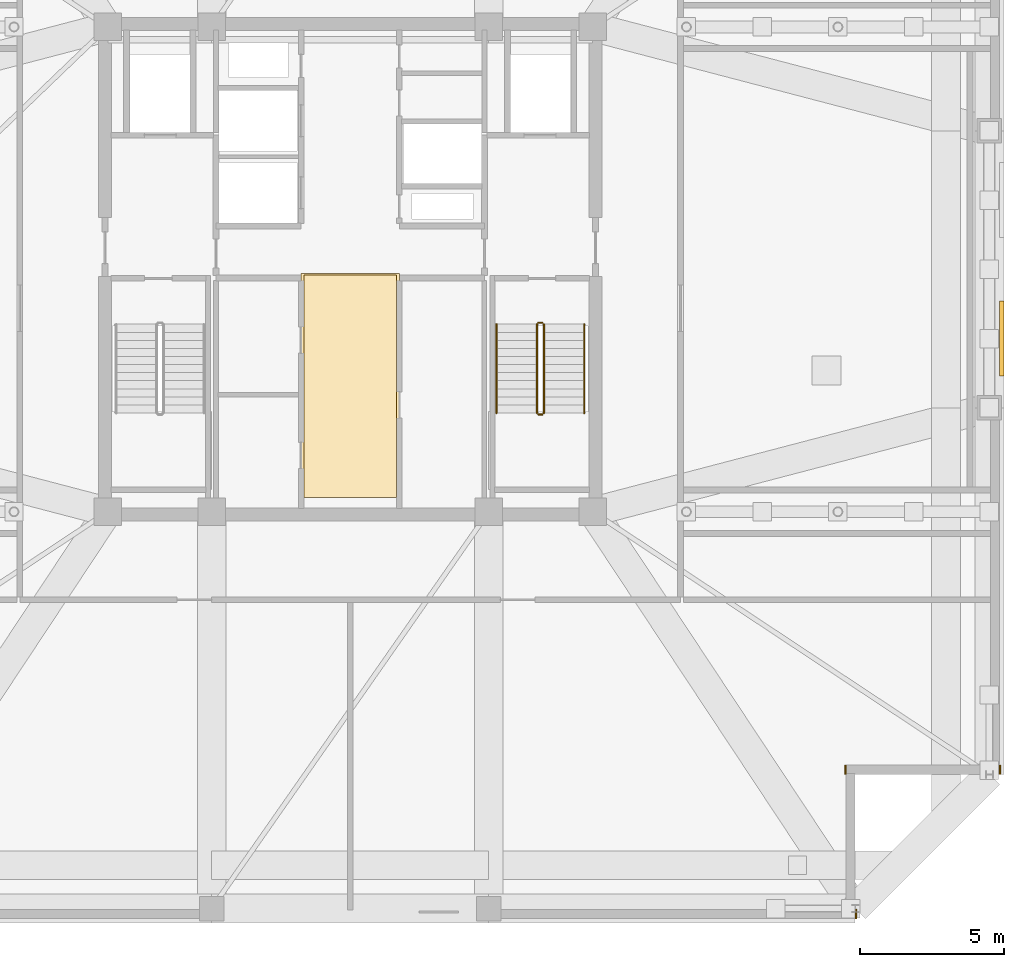
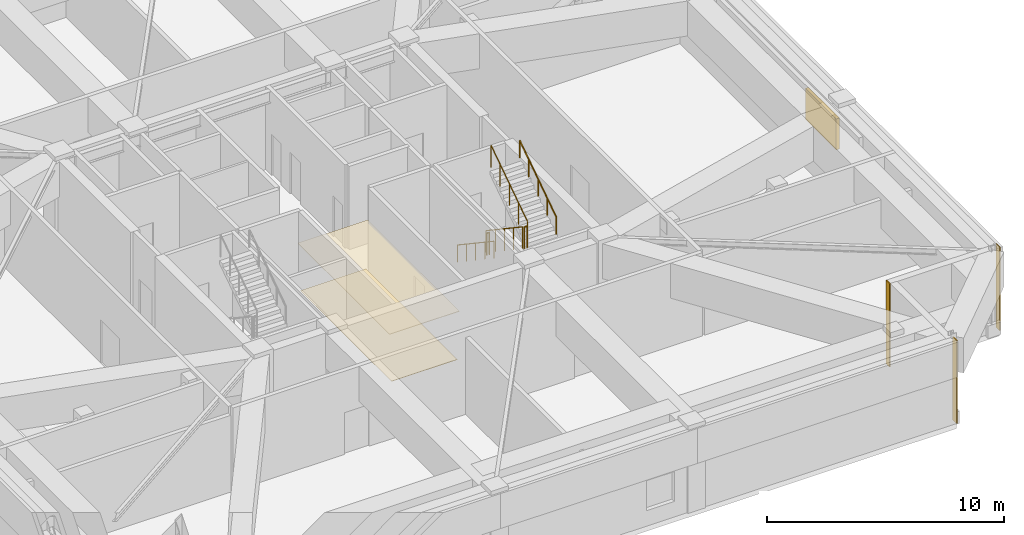
# One storey, part 14 of 17: 6 railings, 5 coverings, 1 shading device.
"""IFC4 building model written with IfcOpenShell, lengths in metres."""

from ifc_helpers import new_model, si_unit, direction, frame, frame_2d, origin, origin_2d, place, context, subcontext, project, spatial, polyline, rectangle, circle, outline, extrude, material, layer, layer_set, type_object, element, save


model = new_model("IFC4")

# Units and contexts
model_context = context("Model", 3, precision=1e-05, world=origin(), true_north=direction((0.0, 1.0)))
body_context = subcontext(model_context, "Body", "Model", "MODEL_VIEW")
ifc_project = project(units=[si_unit("LENGTHUNIT", "METRE"), si_unit("AREAUNIT", "SQUARE_METRE"), si_unit("VOLUMEUNIT", "CUBIC_METRE"), si_unit("PLANEANGLEUNIT", "RADIAN"), si_unit("MASSUNIT", "GRAM", prefix="KILO")], contexts=[model_context])

# Site, building, storey
site_placement = place(None, origin())
site = spatial("IfcSite", under=ifc_project, at=site_placement, CompositionType="ELEMENT")
building_placement = place(site_placement, origin())
building = spatial("IfcBuilding", under=site, at=building_placement, Name="Cairnveth Concourse Tower", CompositionType="ELEMENT")
storey_placement = place(building_placement, frame((0.0, 0.0, 276.0)))
storey = spatial("IfcBuildingStorey", under=building, at=storey_placement, Name="L76", CompositionType="ELEMENT", Elevation=276.0)

# Coverings
ifc_material_1 = material(Name="Acoustic Mineral Fibre Ceiling", Category="gypsum")
ifc_layer_1 = layer(ifc_material_1, 0.02490234375)
ifc_layer_set_1 = layer_set([ifc_layer_1], Name="Acoustic Mineral Fibre Ceiling")
covering_type_1 = type_object("IfcCoveringType", Name="ACOUSTIC MINERAL FIBRE CEILING 25", PredefinedType="CEILING", material=ifc_layer_set_1)
covering_1_placement = place(storey_placement, frame((0.0, 0.0, 2.449951171875)))
element("IfcCovering", 1, at=covering_1_placement, inside=storey, type_object=covering_type_1, Name="Lift Lobby Acoustic Ceiling L76", PredefinedType="CEILING", context=body_context, shape_type="SweptSolid", body=[
    extrude(outline(polyline([(50.300048828125, 31.10009765625), (53.699951171875, 31.10009765625), (53.699951171875, 38.85009765625), (50.300048828125, 38.85009765625), (50.300048828125, 31.10009765625)])), origin(), (0.0, 0.0, 1.0), 0.025146484375),
])
ifc_material_2 = material(Name="Dressed Melbourne Bluestone Cladding", Category="masonry")
ifc_layer_2 = layer(ifc_material_2, 0.050048828125)
ifc_layer_set_2 = layer_set([ifc_layer_2], Name="Dressed Melbourne Bluestone Cladding")
covering_type_2 = type_object("IfcCoveringType", Name="DRESSED BLUESTONE PLINTH CLADDING 50", PredefinedType="CLADDING", material=ifc_layer_set_2)
for number, where, z_axis, x_axis, name in (
    (2, (74.52001953125, 21.820068359375, 0.0), (0.0, 0.0, 1.0), (0.0, -1.0, 0.0), "Melbourne Bluestone Corner Quoin L76-1160"),
    (3, (69.159912109375, 21.820068359375, 0.0), (0.0, 0.0, 1.0), (0.0, -1.0, 0.0), "Melbourne Bluestone Corner Quoin L76-1161"),
    (4, (69.52001953125, 16.820068359375, 0.0), (0.0, 0.0, 1.0), (0.0, -1.0, 0.0), "Melbourne Bluestone Corner Quoin L76-1162"),
):
    element("IfcCovering", number, at=place(storey_placement, frame(where, z_axis=z_axis, x_axis=x_axis)), inside=storey, type_object=covering_type_2, Name=name, PredefinedType="CLADDING", context=body_context, shape_type="SweptSolid", body=[
        extrude(rectangle(XDim=0.320068359375, YDim=0.050048828125, at=frame_2d((0.16015625, 0.0))), origin(), (0.0, 0.0, 1.0), 4.2900390625),
    ])

# Shading device
ifc_material_3 = material(Name="Architectural Bronze Anodised Aluminium 6063-T6", Category="aluminium")
shading_device_type = type_object("IfcShadingDeviceType", Name="PLANT ACOUSTIC WEATHER LOUVRE", PredefinedType="JALOUSIE", material=ifc_material_3)
shading_device_placement = place(storey_placement, frame((74.575927734375, 36.60009765625, 0.949951171875), z_axis=(0.0, 0.0, 1.0), x_axis=(1.0, 0.0, 0.0)))
element("IfcShadingDevice", 5, at=shading_device_placement, inside=storey, type_object=shading_device_type, Name="Plant Acoustic Weather Louvre L76-8-1", PredefinedType="JALOUSIE", context=body_context, shape_type="SweptSolid", body=[
    extrude(rectangle(XDim=0.159912109375, YDim=2.60009765625, at=origin_2d()), origin(), (0.0, 0.0, 1.0), 1.60009765625),
])

# Railings
ifc_material_4 = material(Name="Steel Grade 350", Category="steel")
railing_type_1 = type_object("IfcRailingType", Name="STAIR GUARDRAIL 1150", PredefinedType="GUARDRAIL", material=ifc_material_4)
railing_1_placement = place(storey_placement, frame((58.469970703125, 37.10009765625, 0.1875)))
element("IfcRailing", 6, at=railing_1_placement, inside=storey, type_object=railing_type_1, Name="L76 ST-2 stair guard 1", PredefinedType="GUARDRAIL", context=body_context, shape_type="SweptSolid", body=[
    extrude(circle(Radius=0.02392578125, at=origin_2d()), frame((0.0, 0.0, 1.1259765625), z_axis=(0.0, -0.830913701846, 0.55640131208), x_axis=(1.0, 0.0, 0.0)), (0.0, 0.0, 1.0), 3.706787109375),
    extrude(circle(Radius=0.02099609375, at=origin_2d()), origin(), (0.0, 0.0, 1.0), 1.101806640625),
    extrude(circle(Radius=0.02099609375, at=origin_2d()), frame((0.0, -0.77001953125, 0.515625)), (0.0, 0.0, 1.0), 1.101806640625),
    extrude(circle(Radius=0.02099609375, at=origin_2d()), frame((0.0, -1.5400390625, 1.03125)), (0.0, 0.0, 1.0), 1.101806640625),
    extrude(circle(Radius=0.02099609375, at=origin_2d()), frame((0.0, -2.31005859375, 1.546875)), (0.0, 0.0, 1.0), 1.101806640625),
    extrude(circle(Radius=0.02099609375, at=origin_2d()), frame((0.0, -3.080078125, 2.0625)), (0.0, 0.0, 1.0), 1.101806640625),
])
railing_2_placement = place(storey_placement, frame((58.52001953125, 33.969970703125, 2.25)))
element("IfcRailing", 7, at=railing_2_placement, inside=storey, type_object=railing_type_1, Name="L76 ST-2 stair guard 2", PredefinedType="GUARDRAIL", context=body_context, shape_type="SweptSolid", body=[
    extrude(circle(Radius=0.02392578125, at=origin_2d()), frame((0.0, 0.0, 1.1259765625), z_axis=(1.0, 0.0, 0.0), x_axis=(0.0, 1.0, 0.0)), (0.0, 0.0, 1.0), 0.139892578125),
    extrude(circle(Radius=0.02099609375, at=origin_2d()), origin(), (0.0, 0.0, 1.0), 1.101806640625),
    extrude(circle(Radius=0.02099609375, at=origin_2d()), frame((0.139892578125, 0.0, 0.0)), (0.0, 0.0, 1.0), 1.101806640625),
])
railing_3_placement = place(storey_placement, frame((58.7099609375, 34.02001953125, 2.4375)))
element("IfcRailing", 8, at=railing_3_placement, inside=storey, type_object=railing_type_1, Name="L76 ST-2 stair guard 3", PredefinedType="GUARDRAIL", context=body_context, shape_type="SweptSolid", body=[
    extrude(circle(Radius=0.02392578125, at=origin_2d()), frame((0.0, 0.0, 1.1259765625), z_axis=(0.0, 0.830913701846, 0.55640131208), x_axis=(-1.0, 0.0, 0.0)), (0.0, 0.0, 1.0), 3.706787109375),
    extrude(circle(Radius=0.02099609375, at=origin_2d()), origin(), (0.0, 0.0, 1.0), 1.101806640625),
    extrude(circle(Radius=0.02099609375, at=origin_2d()), frame((0.0, 0.77001953125, 0.515625)), (0.0, 0.0, 1.0), 1.101806640625),
    extrude(circle(Radius=0.02099609375, at=origin_2d()), frame((0.0, 1.5400390625, 1.03125)), (0.0, 0.0, 1.0), 1.101806640625),
    extrude(circle(Radius=0.02099609375, at=origin_2d()), frame((0.0, 2.31005859375, 1.546875)), (0.0, 0.0, 1.0), 1.101806640625),
    extrude(circle(Radius=0.02099609375, at=origin_2d()), frame((0.0, 3.080078125, 2.0625)), (0.0, 0.0, 1.0), 1.101806640625),
])
railing_4_placement = place(storey_placement, frame((58.52001953125, 37.14990234375, 0.0)))
element("IfcRailing", 9, at=railing_4_placement, inside=storey, type_object=railing_type_1, Name="L76 ST-2 stair guard 4", PredefinedType="GUARDRAIL", context=body_context, shape_type="SweptSolid", body=[
    extrude(circle(Radius=0.02392578125, at=origin_2d()), frame((0.0, 0.0, 1.1259765625), z_axis=(1.0, 0.0, 0.0), x_axis=(0.0, 1.0, 0.0)), (0.0, 0.0, 1.0), 0.139892578125),
    extrude(circle(Radius=0.02099609375, at=origin_2d()), origin(), (0.0, 0.0, 1.0), 1.101806640625),
    extrude(circle(Radius=0.02099609375, at=origin_2d()), frame((0.139892578125, 0.0, 0.0)), (0.0, 0.0, 1.0), 1.101806640625),
])
railing_type_2 = type_object("IfcRailingType", Name="STAIR WALL HANDRAIL 900", PredefinedType="HANDRAIL", material=ifc_material_4)
railing_5_placement = place(storey_placement, frame((57.070068359375, 37.10009765625, 0.1875)))
element("IfcRailing", 10, at=railing_5_placement, inside=storey, type_object=railing_type_2, Name="L76 ST-2 stair handrail 1", PredefinedType="HANDRAIL", context=body_context, shape_type="SweptSolid", body=[
    extrude(circle(Radius=0.02392578125, at=origin_2d()), frame((0.0, 0.0, 0.8759765625), z_axis=(0.0, -0.830913701846, 0.55640131208), x_axis=(1.0, 0.0, 0.0)), (0.0, 0.0, 1.0), 3.706787109375),
    extrude(circle(Radius=0.02099609375, at=origin_2d()), origin(), (0.0, 0.0, 1.0), 0.851806640625),
    extrude(circle(Radius=0.02099609375, at=origin_2d()), frame((0.0, -0.77001953125, 0.515625)), (0.0, 0.0, 1.0), 0.851806640625),
    extrude(circle(Radius=0.02099609375, at=origin_2d()), frame((0.0, -1.5400390625, 1.03125)), (0.0, 0.0, 1.0), 0.851806640625),
    extrude(circle(Radius=0.02099609375, at=origin_2d()), frame((0.0, -2.31005859375, 1.546875)), (0.0, 0.0, 1.0), 0.851806640625),
    extrude(circle(Radius=0.02099609375, at=origin_2d()), frame((0.0, -3.080078125, 2.0625)), (0.0, 0.0, 1.0), 0.851806640625),
])
railing_6_placement = place(storey_placement, frame((60.110107421875, 34.02001953125, 2.4375)))
element("IfcRailing", 11, at=railing_6_placement, inside=storey, type_object=railing_type_2, Name="L76 ST-2 stair handrail 2", PredefinedType="HANDRAIL", context=body_context, shape_type="SweptSolid", body=[
    extrude(circle(Radius=0.02392578125, at=origin_2d()), frame((0.0, 0.0, 0.8759765625), z_axis=(0.0, 0.830913701846, 0.55640131208), x_axis=(-1.0, 0.0, 0.0)), (0.0, 0.0, 1.0), 3.706787109375),
    extrude(circle(Radius=0.02099609375, at=origin_2d()), origin(), (0.0, 0.0, 1.0), 0.851806640625),
    extrude(circle(Radius=0.02099609375, at=origin_2d()), frame((0.0, 0.77001953125, 0.515625)), (0.0, 0.0, 1.0), 0.851806640625),
    extrude(circle(Radius=0.02099609375, at=origin_2d()), frame((0.0, 1.5400390625, 1.03125)), (0.0, 0.0, 1.0), 0.851806640625),
    extrude(circle(Radius=0.02099609375, at=origin_2d()), frame((0.0, 2.31005859375, 1.546875)), (0.0, 0.0, 1.0), 0.851806640625),
    extrude(circle(Radius=0.02099609375, at=origin_2d()), frame((0.0, 3.080078125, 2.0625)), (0.0, 0.0, 1.0), 0.851806640625),
])

# Covering
ifc_material_5 = material(Name="Vitrified Stoneware Tile Flooring", Category="masonry")
ifc_layer_3 = layer(ifc_material_5, 0.02001953125)
ifc_layer_set_3 = layer_set([ifc_layer_3], Name="Vitrified Stoneware Tile Flooring")
covering_type_3 = type_object("IfcCoveringType", Name="VITRIFIED STONEWARE LOBBY FLOORING 20", PredefinedType="FLOORING", material=ifc_layer_set_3)
covering_2_placement = place(storey_placement, origin())
element("IfcCovering", 12, at=covering_2_placement, inside=storey, type_object=covering_type_3, Name="Lift Lobby Stoneware Flooring L76", PredefinedType="FLOORING", context=body_context, shape_type="SweptSolid", body=[
    extrude(outline(polyline([(50.39990234375, 31.10009765625), (53.60009765625, 31.10009765625), (53.60009765625, 38.800048828125), (50.39990234375, 38.800048828125), (50.39990234375, 31.10009765625)])), origin(), (0.0, 0.0, 1.0), 0.02001953125),
])

save(model, "model.ifc")
